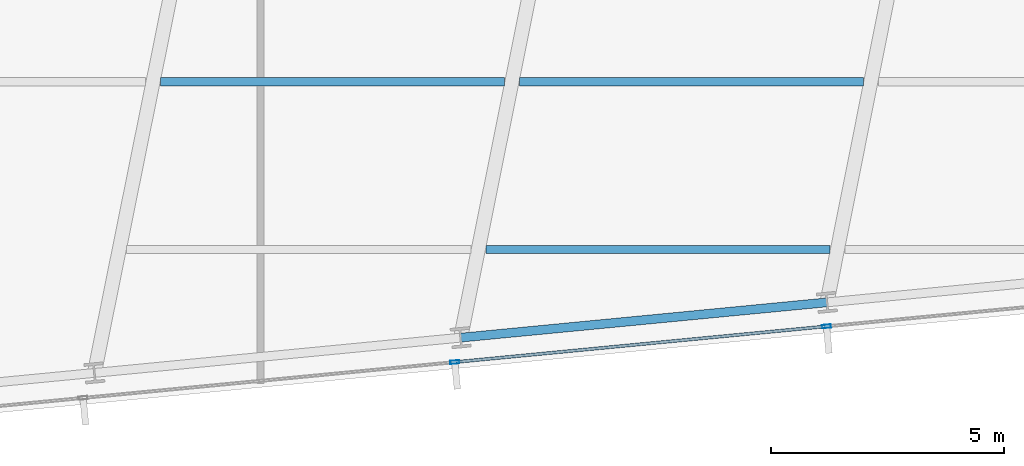
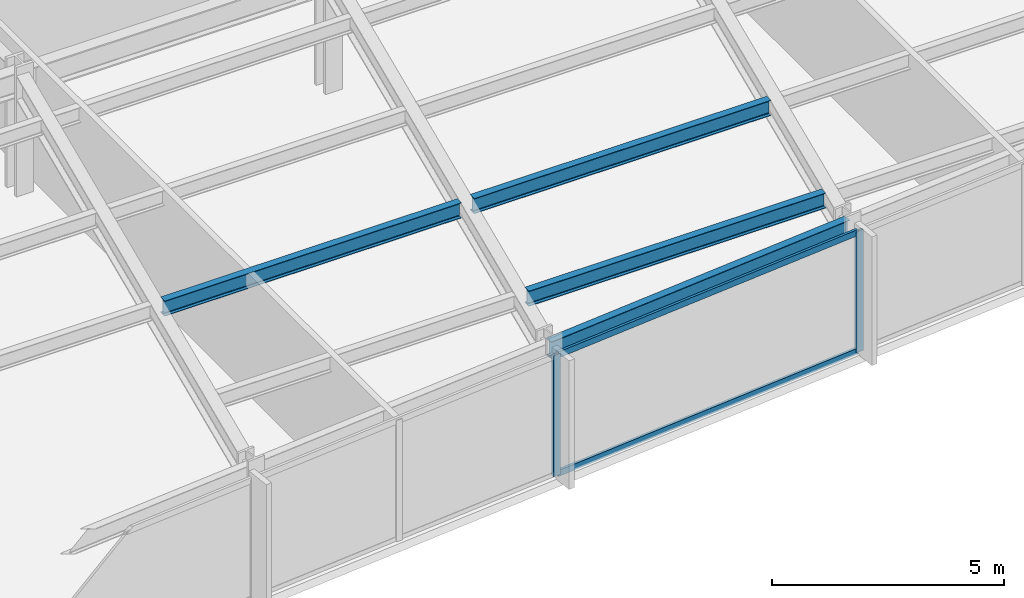
# One storey, part 4 of 32: 4 beams, 4 members, 1 element without a shape of its own.
"""IFC4 building model written with IfcOpenShell, lengths in metres."""

import ifcopenshell
import ifcopenshell.guid

model = None  # the IFC model being written
_history = None  # IfcOwnerHistory: only IFC2X3 demands one
_inside = {}  # id of a spatial element -> (the spatial element, [elements in it])
_under = {}  # id of a project, library or spatial element -> (it, [spatial elements below it])
_declared = {}  # id of a project -> (the project, [libraries it declares])
_typed = {}  # id of a type object -> (the type object, [elements of that type])
_made_of = {}  # id of a material, layer set ... -> (it, [elements and type objects made of it])


def new_model(schema):
    """Start an empty IFC model of exactly this schema.

    Asked for "IFC4X3", IfcOpenShell would pick the latest addendum, in which some entities
    have other attributes; the version numbers below select the first issue.
    IFC2X3 requires an IfcOwnerHistory on every rooted entity: one is made here for all.
    """
    global model, _history
    if schema == "IFC4X3":
        model = ifcopenshell.file(schema_version=(4, 3, 0, 0))
    else:
        model = ifcopenshell.file(schema=schema)
    _inside.clear()
    _under.clear()
    _declared.clear()
    _typed.clear()
    _made_of.clear()
    _history = None
    if model.schema == "IFC2X3":
        org = make("IfcOrganization", Name="unknown")
        user = make(
            "IfcPersonAndOrganization",
            ThePerson=make("IfcPerson", FamilyName="unknown"),
            TheOrganization=org,
        )
        app = make(
            "IfcApplication",
            ApplicationDeveloper=org,
            Version="unknown",
            ApplicationFullName="unknown",
            ApplicationIdentifier="unknown",
        )
        _history = make(
            "IfcOwnerHistory",
            OwningUser=user,
            OwningApplication=app,
            ChangeAction="ADDED",
            CreationDate=0,
        )
    return model


def make(cls, **values):
    """One entity of the class cls with the attributes given. An attribute that is None is left unset."""
    return model.create_entity(
        cls, **{name: value for name, value in values.items() if value is not None}
    )


def rooted(cls, **values):
    """An entity with a GlobalId (a new one), such as an element, a storey or a relation."""
    return make(cls, GlobalId=ifcopenshell.guid.new(), OwnerHistory=_history, **values)


def si_unit(unit_type, name, prefix=None):
    """IfcSIUnit, for example si_unit("LENGTHUNIT", "METRE", prefix="MILLI")."""
    return make("IfcSIUnit", UnitType=unit_type, Prefix=prefix, Name=name)


def assignment(units):
    """IfcUnitAssignment: the units of a project."""
    return None if units is None else make("IfcUnitAssignment", Units=units)


def point(xyz):
    """IfcCartesianPoint."""
    return None if xyz is None else make("IfcCartesianPoint", Coordinates=xyz)


def direction(xyz):
    """IfcDirection."""
    return None if xyz is None else make("IfcDirection", DirectionRatios=xyz)


def frame(location, z_axis=None, x_axis=None):
    """IfcAxis2Placement3D, a coordinate frame: its origin and axes. An axis left out is left unset."""
    return make(
        "IfcAxis2Placement3D",
        Location=point(location),
        Axis=direction(z_axis),
        RefDirection=direction(x_axis),
    )


def frame_2d(location, x_axis=None):
    """IfcAxis2Placement2D, a coordinate frame in the plane: its origin and x axis."""
    return make(
        "IfcAxis2Placement2D", Location=point(location), RefDirection=direction(x_axis)
    )


def origin():
    """The frame at (0, 0, 0) with its axes left unset."""
    return frame((0.0, 0.0, 0.0))


def origin_2d():
    """The frame at (0, 0) in the plane with its x axis left unset."""
    return frame_2d((0.0, 0.0))


def place(relative_to, where):
    """IfcLocalPlacement: puts the frame where relative to a parent placement (None: the world)."""
    return make(
        "IfcLocalPlacement", PlacementRelTo=relative_to, RelativePlacement=where
    )


def context(
    kind, dimensions, precision=None, world=None, true_north=None, identifier=None
):
    """IfcGeometricRepresentationContext, for example the 3D "Model" context."""
    return make(
        "IfcGeometricRepresentationContext",
        ContextIdentifier=identifier,
        ContextType=kind,
        CoordinateSpaceDimension=dimensions,
        Precision=precision,
        WorldCoordinateSystem=world,
        TrueNorth=true_north,
    )


def subcontext(parent, identifier, kind, view, scale=None):
    """IfcGeometricRepresentationSubContext, for example "Body" below "Model"."""
    return make(
        "IfcGeometricRepresentationSubContext",
        ContextIdentifier=identifier,
        ContextType=kind,
        ParentContext=parent,
        TargetScale=scale,
        TargetView=view,
    )


def project(units=None, contexts=None):
    """IfcProject with its units and contexts."""
    return rooted(
        "IfcProject",
        Name="project",
        RepresentationContexts=contexts,
        UnitsInContext=assignment(units),
    )


def spatial(cls, under=None, at=None, **own):
    """A site, building, storey or space (cls), placed at a placement, below another one or the project."""
    s = rooted(cls, ObjectPlacement=at, **own)
    if under is not None:
        _under.setdefault(under.id(), (under, []))[1].append(s)
    return s


def profile(cls, at=None, kind="AREA", **sizes):
    """A parametric profile (cls). Its sizes go by their IFC names, for example OverallWidth=200.0."""
    return make(cls, ProfileType=kind, Position=at, **sizes)


def hollow_rectangle(**sizes):
    """IfcRectangleHollowProfileDef."""
    return profile("IfcRectangleHollowProfileDef", **sizes)


def i_section(**sizes):
    """IfcIShapeProfileDef."""
    return profile("IfcIShapeProfileDef", **sizes)


def extrude(swept, where, along, depth):
    """IfcExtrudedAreaSolid: the profile swept, set in the frame where, extruded along a direction by depth."""
    return make(
        "IfcExtrudedAreaSolid",
        SweptArea=swept,
        Position=where,
        ExtrudedDirection=direction(along),
        Depth=depth,
    )


def shape(context_of_items, identifier, shape_type, items):
    """IfcShapeRepresentation: the items that make up one representation, for example the "Body"."""
    return make(
        "IfcShapeRepresentation",
        ContextOfItems=context_of_items,
        RepresentationIdentifier=identifier,
        RepresentationType=shape_type,
        Items=items,
    )


def material(Name=None, Category=None):
    """IfcMaterial."""
    return make("IfcMaterial", Name=Name, Category=Category)


def material_profile(
    of_material, cross_section, Name=None, Category=None, Priority=None
):
    """IfcMaterialProfile: a cross section and its material."""
    return make(
        "IfcMaterialProfile",
        Name=Name,
        Material=of_material,
        Profile=cross_section,
        Priority=Priority,
        Category=Category,
    )


def profile_set(profiles, Name=None, composite=None):
    """IfcMaterialProfileSet."""
    return make(
        "IfcMaterialProfileSet",
        Name=Name,
        MaterialProfiles=profiles,
        CompositeProfile=composite,
    )


def made_of(thing, what):
    """Note that an element or type object is made of a material, layer set ...; save() writes the relation."""
    if what is not None:
        _made_of.setdefault(what.id(), (what, []))[1].append(thing)
    return thing


def type_object(cls, material=None, **own):
    """A type object (cls), such as IfcWallType, which elements share."""
    return made_of(rooted(cls, **own), material)


def element(
    cls,
    number,
    at=None,
    inside=None,
    cuts=None,
    type_object=None,
    material=None,
    context=None,
    identifier="Body",
    shape_type=None,
    held_by="IfcProductDefinitionShape",
    body=None,
    shapes=None,
    **own,
):
    """One element of the class cls, such as IfcWall. Its Tag is "e" and its number.

    at: its placement. inside: the storey or other place that contains it. cuts: it is an
    opening in that element (IfcRelVoidsElement). A single representation is given by context,
    identifier, shape_type and body (its items); several are given by shapes. held_by: the class
    of the entity that holds the representations. save() writes the other relations.
    """
    e = rooted(cls, Tag="e%d" % number, ObjectPlacement=at, **own)
    if body is not None:
        shapes = [shape(context, identifier, shape_type, body)]
    if shapes is not None:
        e.Representation = make(held_by, Representations=shapes)
    if inside is not None:
        _inside.setdefault(inside.id(), (inside, []))[1].append(e)
    if cuts is not None:
        rooted(
            "IfcRelVoidsElement", RelatingBuildingElement=cuts, RelatedOpeningElement=e
        )
    if type_object is not None:
        _typed.setdefault(type_object.id(), (type_object, []))[1].append(e)
    return made_of(e, material)


def aggregate(whole, parts):
    """IfcRelAggregates: a whole, such as a stair, and the parts it consists of."""
    return rooted("IfcRelAggregates", RelatingObject=whole, RelatedObjects=parts)


def save(model, path):
    """Write the relations noted so far, then the file.

    IfcRelAggregates (storeys below a building ...), IfcRelContainedInSpatialStructure (elements
    in a storey), IfcRelDefinesByType, IfcRelAssociatesMaterial and IfcRelDeclares: one each for
    every whole, place, type object, material and project.
    """
    for whole, parts in _under.values():
        aggregate(whole, parts)
    for where, things in _inside.values():
        rooted(
            "IfcRelContainedInSpatialStructure",
            RelatedElements=things,
            RelatingStructure=where,
        )
    for kind, things in _typed.values():
        rooted("IfcRelDefinesByType", RelatedObjects=things, RelatingType=kind)
    for what, things in _made_of.values():
        rooted("IfcRelAssociatesMaterial", RelatedObjects=things, RelatingMaterial=what)
    for by, libraries in _declared.values():
        rooted("IfcRelDeclares", RelatingContext=by, RelatedDefinitions=libraries)
    model.write(path)


model = new_model("IFC4")

# Units and contexts
model_context = context("Model", 3, precision=1e-05, world=origin(), true_north=direction((0.0, 1.0)))
body_context = subcontext(model_context, "Body", "Model", "MODEL_VIEW")
ifc_project = project(units=[si_unit("LENGTHUNIT", "METRE"), si_unit("AREAUNIT", "SQUARE_METRE"), si_unit("VOLUMEUNIT", "CUBIC_METRE"), si_unit("PLANEANGLEUNIT", "RADIAN"), si_unit("MASSUNIT", "GRAM", prefix="KILO")], contexts=[model_context])

# Site, building, storey
site_placement = place(None, origin())
site = spatial("IfcSite", under=ifc_project, at=site_placement, CompositionType="ELEMENT")
building_placement = place(site_placement, origin())
building = spatial("IfcBuilding", under=site, at=building_placement, Name="Yelkora Congress Tower", CompositionType="ELEMENT")
storey_placement = place(building_placement, frame((0.0, 0.0, 116.89990234375)))
storey = spatial("IfcBuildingStorey", under=building, at=storey_placement, Name="L31", CompositionType="ELEMENT", Elevation=116.89990234375)

# Beams
ifc_material_1 = material(Name="Steel S355J2", Category="steel")
ifc_material_profile_1 = material_profile(ifc_material_1, i_section(OverallWidth=0.179931640625, OverallDepth=0.39990234375, WebThickness=0.008544921875, FlangeThickness=0.013427734375, FilletRadius=0.02099609375, at=origin_2d()), Name="IPE 400")
ifc_profile_set_1 = profile_set([ifc_material_profile_1], Name="Steel S355J2")
beam_type_1 = type_object("IfcBeamType", Name="BM-JOIST-IPE400", PredefinedType="JOIST", material=ifc_profile_set_1)
beam_1_placement = place(storey_placement, frame((36.023193359375, 12.54443359375, 2.97998046875), z_axis=(1.0, 0.0, 0.0), x_axis=(0.0, 1.0, 0.0)))
element("IfcBeam", 1, at=beam_1_placement, inside=storey, type_object=beam_type_1, Name="L31 Composite Floor Joist 2", PredefinedType="JOIST", context=body_context, shape_type="SweptSolid", body=[
    extrude(i_section(OverallWidth=0.179931640625, OverallDepth=0.39990234375, WebThickness=0.008544921875, FlangeThickness=0.013427734375, FilletRadius=0.02099609375, at=origin_2d()), origin(), (0.0, 0.0, 1.0), 7.37646484375),
])
beam_2_placement = place(storey_placement, frame((29.05419921875, 16.144287109375, 2.97998046875), z_axis=(1.0, 0.0, 0.0), x_axis=(0.0, 1.0, 0.0)))
element("IfcBeam", 2, at=beam_2_placement, inside=storey, type_object=beam_type_1, Name="L31 Composite Floor Joist 5", PredefinedType="JOIST", context=body_context, shape_type="SweptSolid", body=[
    extrude(i_section(OverallWidth=0.179931640625, OverallDepth=0.39990234375, WebThickness=0.008544921875, FlangeThickness=0.013427734375, FilletRadius=0.02099609375, at=origin_2d()), origin(), (0.0, 0.0, 1.0), 7.37060546875),
])
beam_3_placement = place(storey_placement, frame((36.744873046875, 16.144287109375, 2.97998046875), z_axis=(1.0, 0.0, 0.0), x_axis=(0.0, 1.0, 0.0)))
element("IfcBeam", 3, at=beam_3_placement, inside=storey, type_object=beam_type_1, Name="L31 Composite Floor Joist 6", PredefinedType="JOIST", context=body_context, shape_type="SweptSolid", body=[
    extrude(i_section(OverallWidth=0.179931640625, OverallDepth=0.39990234375, WebThickness=0.008544921875, FlangeThickness=0.013427734375, FilletRadius=0.02099609375, at=origin_2d()), origin(), (0.0, 0.0, 1.0), 7.371826171875),
])
ifc_material_profile_2 = material_profile(ifc_material_1, i_section(OverallWidth=0.18994140625, OverallDepth=0.449951171875, WebThickness=0.009521484375, FlangeThickness=0.0146484375, FilletRadius=0.02099609375, at=origin_2d()), Name="IPE 450")
ifc_profile_set_2 = profile_set([ifc_material_profile_2], Name="Steel S355J2")
beam_type_2 = type_object("IfcBeamType", Name="BM-SPAN-IPE450", PredefinedType="SPANDREL", material=ifc_profile_set_2)
beam_4_placement = place(storey_placement, frame((35.48486328125, 10.656005859375, 2.955078125), z_axis=(0.995395575667, 0.095852219286, 0.0), x_axis=(-0.095852219286, 0.995395575667, 0.0)))
element("IfcBeam", 4, at=beam_4_placement, inside=storey, type_object=beam_type_2, Name="L31 Perimeter Beam 5", PredefinedType="SPANDREL", context=body_context, shape_type="SweptSolid", body=[
    extrude(i_section(OverallWidth=0.18994140625, OverallDepth=0.449951171875, WebThickness=0.009521484375, FlangeThickness=0.0146484375, FilletRadius=0.02099609375, at=origin_2d()), origin(), (0.0, 0.0, 1.0), 7.8857421875),
])

# Curtain wall, members
ifc_material_2 = material(Name="Anodised aluminium and insulated glass", Category="aluminium")
curtain_wall_type = type_object("IfcCurtainWallType", Name="CW-SYS-B2", PredefinedType="NOTDEFINED", material=ifc_material_2)
curtain_wall_placement = place(storey_placement, origin())
curtain_wall = element("IfcCurtainWall", 5, at=curtain_wall_placement, inside=storey, type_object=curtain_wall_type, Name="L31 Unitised Curtain Wall 20", PredefinedType="NOTDEFINED")
ifc_material_3 = material(Name="Anodised aluminium 6063-T6", Category="aluminium")
ifc_material_profile_3 = material_profile(ifc_material_3, hollow_rectangle(XDim=0.070068359375, YDim=0.18994140625, WallThickness=0.00390625, at=origin_2d()), Name="ALU 70x190x4")
ifc_profile_set_3 = profile_set([ifc_material_profile_3], Name="Anodised aluminium 6063-T6")
member_type_1 = type_object("IfcMemberType", Name="MEM-ML-B2", PredefinedType="MULLION", material=ifc_profile_set_3)
member_1_placement = place(storey_placement, frame((43.32470703125, 10.898681640625, 0.0), z_axis=(0.0, 0.0, 1.0), x_axis=(0.095844345816, -0.995396333816, 0.0)))
member_1 = element("IfcMember", 6, at=member_1_placement, type_object=member_type_1, Name="CW-B2 mullion 5", PredefinedType="MULLION", context=body_context, shape_type="SweptSolid", body=[
    extrude(hollow_rectangle(XDim=0.070068359375, YDim=0.18994140625, WallThickness=0.00390625, at=origin_2d()), origin(), (0.0, 0.0, 1.0), 3.18017578125),
])
member_2_placement = place(storey_placement, frame((35.358642578125, 10.131591796875, 0.0), z_axis=(0.0, 0.0, 1.0), x_axis=(0.095844345816, -0.995396333816, 0.0)))
member_2 = element("IfcMember", 7, at=member_2_placement, type_object=member_type_1, Name="CW-B2 mullion 6", PredefinedType="MULLION", context=body_context, shape_type="SweptSolid", body=[
    extrude(hollow_rectangle(XDim=0.070068359375, YDim=0.18994140625, WallThickness=0.00390625, at=origin_2d()), origin(), (0.0, 0.0, 1.0), 3.18017578125),
])
ifc_material_profile_4 = material_profile(ifc_material_3, hollow_rectangle(XDim=0.06494140625, YDim=0.159912109375, WallThickness=0.00390625, at=origin_2d()), Name="ALU 65x160x4")
ifc_profile_set_4 = profile_set([ifc_material_profile_4], Name="Anodised aluminium 6063-T6")
member_type_2 = type_object("IfcMemberType", Name="MEM-TR-B2", PredefinedType="USERDEFINED", material=ifc_profile_set_4)
member_3_placement = place(storey_placement, frame((43.289794921875, 10.895263671875, 0.03271484375), z_axis=(-0.995397010735, -0.095837315383, 0.0), x_axis=(0.095837315383, -0.995397010735, 0.0)))
member_3 = element("IfcMember", 8, at=member_3_placement, type_object=member_type_2, Name="CW-B2 transom 5.1", ObjectType="TRANSOM", PredefinedType="USERDEFINED", context=body_context, shape_type="SweptSolid", body=[
    extrude(hollow_rectangle(XDim=0.06494140625, YDim=0.159912109375, WallThickness=0.00390625, at=origin_2d()), origin(), (0.0, 0.0, 1.0), 7.932861328125),
])
member_4_placement = place(storey_placement, frame((43.289794921875, 10.895263671875, 3.147705078125), z_axis=(-0.995397010735, -0.095837315383, 0.0), x_axis=(0.095837315383, -0.995397010735, 0.0)))
member_4 = element("IfcMember", 9, at=member_4_placement, type_object=member_type_2, Name="CW-B2 transom 5.2", ObjectType="TRANSOM", PredefinedType="USERDEFINED", context=body_context, shape_type="SweptSolid", body=[
    extrude(hollow_rectangle(XDim=0.06494140625, YDim=0.159912109375, WallThickness=0.00390625, at=origin_2d()), origin(), (0.0, 0.0, 1.0), 7.932861328125),
])
aggregate(curtain_wall, [member_1, member_2, member_3, member_4])

save(model, "model.ifc")
